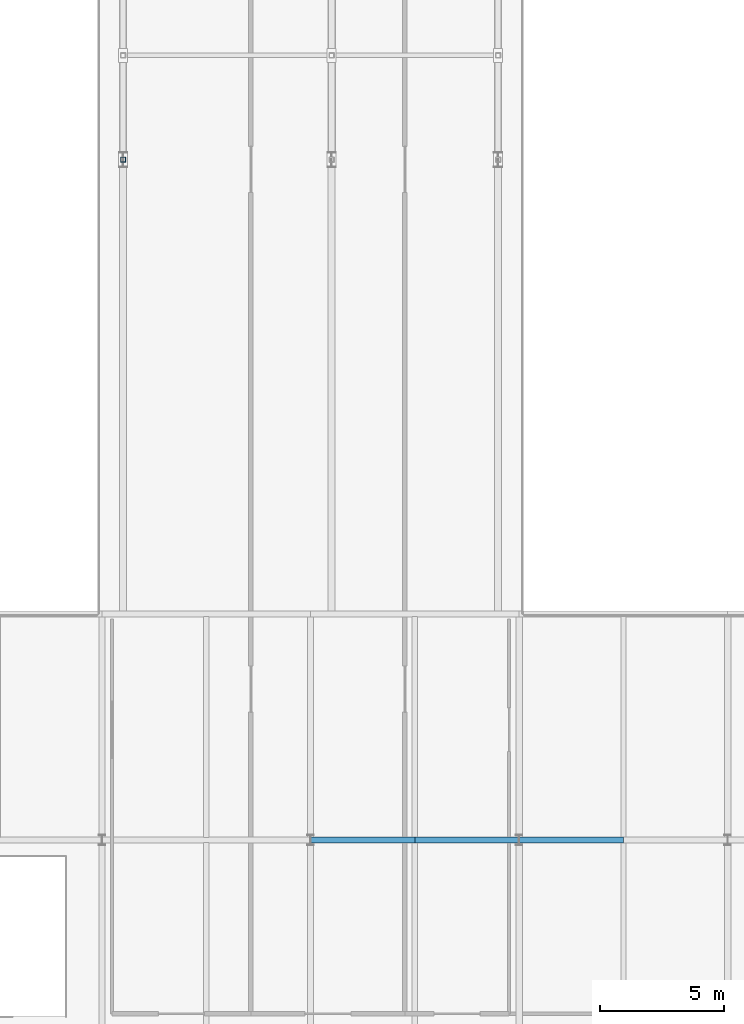
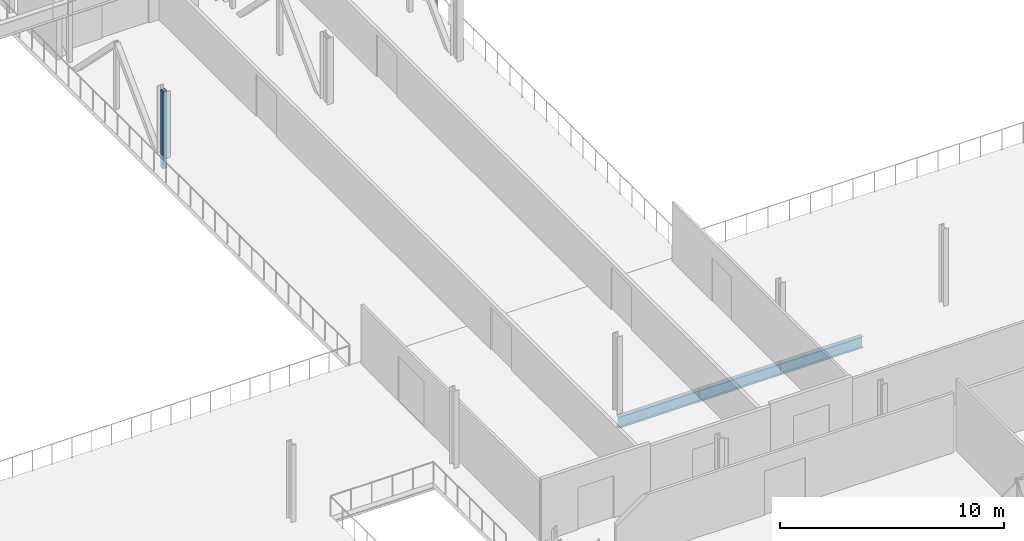
# One storey, part 52 of 107: 3 beams, 1 member.
"""IFC4 building model written with IfcOpenShell, lengths in metres."""

from ifc_helpers import new_model, si_unit, derived_unit, direction, frame, origin, origin_2d, place, context, subcontext, project, spatial, hollow_rectangle, i_section, extrude, material, material_profile, profile_set, type_object, element, save


model = new_model("IFC4")

# Units and contexts
model_context = context("Model", 3, precision=1e-05, world=origin(), true_north=direction((0.0, 1.0)))
body_context = subcontext(model_context, "Body", "Model", "MODEL_VIEW")
ifc_project = project(units=[si_unit("LENGTHUNIT", "METRE"), si_unit("AREAUNIT", "SQUARE_METRE"), si_unit("VOLUMEUNIT", "CUBIC_METRE"), si_unit("PLANEANGLEUNIT", "RADIAN"), si_unit("MASSUNIT", "GRAM", prefix="KILO"), derived_unit("THERMALTRANSMITTANCEUNIT", [(si_unit("MASSUNIT", "GRAM", prefix="KILO"), 1), (si_unit("TIMEUNIT", "SECOND"), -3), (si_unit("THERMODYNAMICTEMPERATUREUNIT", "KELVIN"), -1)])], contexts=[model_context])

# Site, building, storey
site_placement = place(None, origin())
site = spatial("IfcSite", under=ifc_project, at=site_placement, CompositionType="ELEMENT")
building_placement = place(site_placement, origin())
building = spatial("IfcBuilding", under=site, at=building_placement, Name="Makaiwela Harbour Ferry Terminal", CompositionType="ELEMENT")
storey_placement = place(building_placement, frame((0.0, 0.0, 9.60009765625)))
storey = spatial("IfcBuildingStorey", under=building, at=storey_placement, Name="L02", CompositionType="ELEMENT", Elevation=9.60009765625)

# Beams
ifc_material_1 = material(Name="Steel ASTM A992 Grade 50", Category="steel")
ifc_material_profile_1 = material_profile(ifc_material_1, i_section(OverallWidth=0.22900390625, OverallDepth=0.612060546875, WebThickness=0.011962890625, FlangeThickness=0.01953125, at=origin_2d()), Name="W24X84")
ifc_profile_set_1 = profile_set([ifc_material_profile_1], Name="Steel ASTM A992 Grade 50")
beam_type = type_object("IfcBeamType", Name="STR-GRD-W24X84", PredefinedType="USERDEFINED", material=ifc_profile_set_1)
for number, where, z_axis, x_axis, name in (
    (1, (96.60009765625, 67.60009765625, -0.566162109375), (1.0, 0.0, 0.0), (0.0, 1.0, 0.0), "Primary X girder 1315"),
    (2, (100.800048828125, 67.60009765625, -0.566162109375), (1.0, 0.0, 0.0), (0.0, 1.0, 0.0), "Primary X girder 1316"),
    (3, (105.0, 67.60009765625, -0.566162109375), (1.0, 0.0, 0.0), (0.0, 1.0, 0.0), "Primary X girder 1317"),
):
    element("IfcBeam", number, at=place(storey_placement, frame(where, z_axis=z_axis, x_axis=x_axis)), inside=storey, type_object=beam_type, Name=name, ObjectType="GIRDER", PredefinedType="USERDEFINED", context=body_context, shape_type="SweptSolid", body=[
        extrude(i_section(OverallWidth=0.22900390625, OverallDepth=0.612060546875, WebThickness=0.011962890625, FlangeThickness=0.01953125, at=origin_2d()), origin(), (0.0, 0.0, 1.0), 4.199951171875),
    ])

# Member
ifc_material_2 = material(Name="Steel ASTM A500 Grade C", Category="steel")
ifc_material_profile_2 = material_profile(ifc_material_2, hollow_rectangle(XDim=0.202880859375, YDim=0.202880859375, WallThickness=0.01171875, at=origin_2d()), Name="HSS8X8X1/2")
ifc_profile_set_2 = profile_set([ifc_material_profile_2], Name="Steel ASTM A500 Grade C")
member_type = type_object("IfcMemberType", Name="STR-PST-HSS8", PredefinedType="POST", material=ifc_profile_set_2)
member_placement = place(storey_placement, frame((89.050048828125, 95.0, -0.685546875), z_axis=(0.0, 0.0, 1.0), x_axis=(1.0, 0.0, 0.0)))
element("IfcMember", 4, at=member_placement, inside=storey, type_object=member_type, Name="Structural Member PS-01", PredefinedType="POST", context=body_context, shape_type="SweptSolid", body=[
    extrude(hollow_rectangle(XDim=0.202880859375, YDim=0.202880859375, WallThickness=0.01171875, at=origin_2d()), origin(), (0.0, 0.0, 1.0), 4.219970703125),
])

save(model, "model.ifc")
